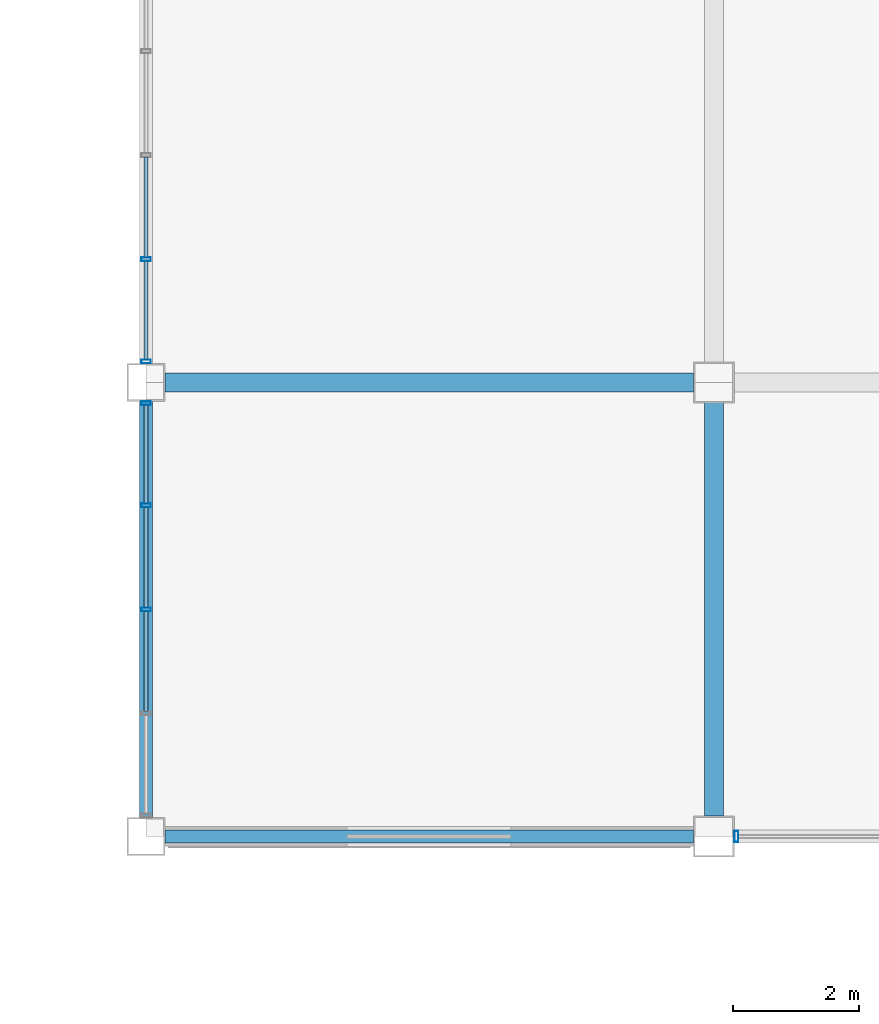
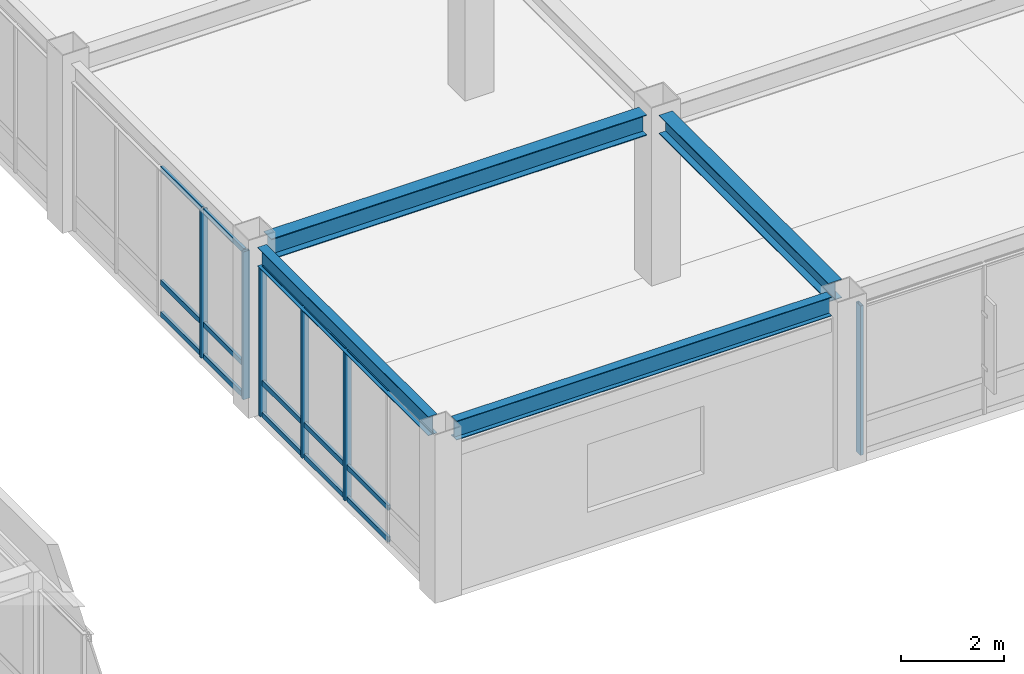
# One storey, part 31 of 106: 21 members, 4 beams, 3 elements without a shape of their own.
"""IFC4 building model written with IfcOpenShell, lengths in metres."""

from ifc_helpers import new_model, si_unit, direction, frame, origin, origin_2d, place, context, subcontext, project, spatial, hollow_rectangle, i_section, extrude, material, material_profile, profile_set, type_object, element, aggregate, save


model = new_model("IFC4")

# Units and contexts
model_context = context("Model", 3, precision=1e-05, world=origin(), true_north=direction((0.0, 1.0)))
body_context = subcontext(model_context, "Body", "Model", "MODEL_VIEW")
ifc_project = project(units=[si_unit("LENGTHUNIT", "METRE"), si_unit("AREAUNIT", "SQUARE_METRE"), si_unit("VOLUMEUNIT", "CUBIC_METRE"), si_unit("PLANEANGLEUNIT", "RADIAN"), si_unit("MASSUNIT", "GRAM", prefix="KILO")], contexts=[model_context])

# Site, building, storey
site_placement = place(None, origin())
site = spatial("IfcSite", under=ifc_project, at=site_placement, CompositionType="ELEMENT")
building_placement = place(site_placement, origin())
building = spatial("IfcBuilding", under=site, at=building_placement, Name="Kazanami Central Library", CompositionType="ELEMENT")
storey_placement = place(building_placement, frame((0.0, 0.0, 12.800048828125)))
storey = spatial("IfcBuildingStorey", under=building, at=storey_placement, Name="L04", CompositionType="ELEMENT", Elevation=12.800048828125)

# Beams
ifc_material_1 = material(Name="Steel SN490B (325 MPa)", Category="steel")
ifc_material_profile_1 = material_profile(ifc_material_1, i_section(OverallWidth=0.300048828125, OverallDepth=0.488037109375, WebThickness=0.010986328125, FlangeThickness=0.01806640625, at=origin_2d()), Name="H-488x300x11x18")
ifc_profile_set_1 = profile_set([ifc_material_profile_1], Name="Steel SN490B (325 MPa)")
beam_type_1 = type_object("IfcBeamType", Name="BM-G-X5", PredefinedType="BEAM", material=ifc_profile_set_1)
beam_1_placement = place(storey_placement, frame((117.298095703125, 50.39990234375, 3.696044921875), z_axis=(1.0, 0.0, 0.0), x_axis=(0.0, 1.0, 0.0)))
element("IfcBeam", 1, at=beam_1_placement, inside=storey, type_object=beam_type_1, Name="Girder G-X5 L04 H/14-15", PredefinedType="BEAM", context=body_context, shape_type="SweptSolid", body=[
    extrude(i_section(OverallWidth=0.300048828125, OverallDepth=0.488037109375, WebThickness=0.010986328125, FlangeThickness=0.01806640625, at=origin_2d()), origin(), (0.0, 0.0, 1.0), 8.37890625),
])
ifc_material_profile_2 = material_profile(ifc_material_1, i_section(OverallWidth=0.300048828125, OverallDepth=0.43994140625, WebThickness=0.010986328125, FlangeThickness=0.01806640625, at=origin_2d()), Name="H-440x300x11x18")
ifc_profile_set_2 = profile_set([ifc_material_profile_2], Name="Steel SN490B (325 MPa)")
beam_type_2 = type_object("IfcBeamType", Name="BM-G-Y4", PredefinedType="BEAM", material=ifc_profile_set_2)
beam_2_placement = place(storey_placement, frame((126.0, 43.52294921875, 3.7548828125), z_axis=(0.0, 1.0, 0.0), x_axis=(-1.0, 0.0, 0.0)))
element("IfcBeam", 2, at=beam_2_placement, inside=storey, type_object=beam_type_2, Name="Girder G-Y4 L04 15/G-H", PredefinedType="BEAM", context=body_context, shape_type="SweptSolid", body=[
    extrude(i_section(OverallWidth=0.300048828125, OverallDepth=0.43994140625, WebThickness=0.010986328125, FlangeThickness=0.01806640625, at=origin_2d()), origin(), (0.0, 0.0, 1.0), 6.553955078125),
])
ifc_material_profile_3 = material_profile(ifc_material_1, i_section(OverallWidth=0.199951171875, OverallDepth=0.449951171875, WebThickness=0.009033203125, FlangeThickness=0.013916015625, at=origin_2d()), Name="H-450x200x9x14")
ifc_profile_set_3 = profile_set([ifc_material_profile_3], Name="Steel SN490B (325 MPa)")
beam_type_3 = type_object("IfcBeamType", Name="BM-SP-2", PredefinedType="SPANDREL", material=ifc_profile_set_3)
beam_3_placement = place(storey_placement, frame((117.298095703125, 43.199951171875, 3.75), z_axis=(1.0, 0.0, 0.0), x_axis=(0.0, 1.0, 0.0)))
element("IfcBeam", 3, at=beam_3_placement, inside=storey, type_object=beam_type_3, Name="Girder SP-2 L04 G/14-15", PredefinedType="SPANDREL", context=body_context, shape_type="SweptSolid", body=[
    extrude(i_section(OverallWidth=0.199951171875, OverallDepth=0.449951171875, WebThickness=0.009033203125, FlangeThickness=0.013916015625, at=origin_2d()), origin(), (0.0, 0.0, 1.0), 8.37890625),
])
beam_4_placement = place(storey_placement, frame((117.0, 43.498046875, 3.75), z_axis=(0.0, 1.0, 0.0), x_axis=(-1.0, 0.0, 0.0)))
element("IfcBeam", 4, at=beam_4_placement, inside=storey, type_object=beam_type_3, Name="Girder SP-2 L04 14/G-H", PredefinedType="SPANDREL", context=body_context, shape_type="SweptSolid", body=[
    extrude(i_section(OverallWidth=0.199951171875, OverallDepth=0.449951171875, WebThickness=0.009033203125, FlangeThickness=0.013916015625, at=origin_2d()), origin(), (0.0, 0.0, 1.0), 6.60400390625),
])

# Curtain wall, member
ifc_material_2 = material(Name="Acid-Etched Low-E Laminated Glass", Category="glass")
curtain_wall_type_1 = type_object("IfcCurtainWallType", Name="CW-8350x3525-M275", PredefinedType="USERDEFINED", material=ifc_material_2)
curtain_wall_1_placement = place(storey_placement, origin())
curtain_wall_1 = element("IfcCurtainWall", 5, at=curtain_wall_1_placement, inside=storey, type_object=curtain_wall_type_1, Name="Unitised Curtain Wall CW-37 L04 S-G-14", ObjectType="UNITISED CURTAIN WALL", PredefinedType="USERDEFINED")
ifc_material_3 = material(Name="Anodised Aluminium A6063-T5", Category="aluminium")
ifc_material_profile_4 = material_profile(ifc_material_3, hollow_rectangle(XDim=0.06494140625, YDim=0.179931640625, WallThickness=0.00390625, at=origin_2d()), Name="ALU-MULL-65x180x4")
ifc_profile_set_4 = profile_set([ifc_material_profile_4], Name="Anodised Aluminium A6063-T5")
member_type_1 = type_object("IfcMemberType", Name="MEM-CW-M2", PredefinedType="MULLION", material=ifc_profile_set_4)
member_1_placement = place(storey_placement, frame((126.357421875, 43.199951171875, 0.0), z_axis=(0.0, 0.0, 1.0), x_axis=(1.0, 0.0, 0.0)))
member_1 = element("IfcMember", 6, at=member_1_placement, type_object=member_type_1, Name="CW-37 mullion 1", PredefinedType="MULLION", context=body_context, shape_type="SweptSolid", body=[
    extrude(hollow_rectangle(XDim=0.06494140625, YDim=0.179931640625, WallThickness=0.00390625, at=origin_2d()), origin(), (0.0, 0.0, 1.0), 3.52490234375),
])
aggregate(curtain_wall_1, [member_1])

# Curtain wall, members
curtain_wall_type_2 = type_object("IfcCurtainWallType", Name="CW-6600x3525-M180", PredefinedType="USERDEFINED", material=ifc_material_2)
curtain_wall_2_placement = place(storey_placement, origin())
curtain_wall_2 = element("IfcCurtainWall", 7, at=curtain_wall_2_placement, inside=storey, type_object=curtain_wall_type_2, Name="Covered Link Bridge Curtain Wall CW-47 L04 W-14-06", ObjectType="UNITISED CURTAIN WALL", PredefinedType="USERDEFINED")
ifc_material_profile_5 = material_profile(ifc_material_3, hollow_rectangle(XDim=0.06005859375, YDim=0.14990234375, WallThickness=0.00390625, at=origin_2d()), Name="ALU-MULL-60x150x4")
ifc_profile_set_5 = profile_set([ifc_material_profile_5], Name="Anodised Aluminium A6063-T5")
member_type_2 = type_object("IfcMemberType", Name="MEM-CW-M3", PredefinedType="MULLION", material=ifc_profile_set_5)
member_2_placement = place(storey_placement, frame((117.0, 46.800048828125, 0.0), z_axis=(0.0, 0.0, 1.0), x_axis=(0.0, 1.0, 0.0)))
member_2 = element("IfcMember", 8, at=member_2_placement, type_object=member_type_2, Name="CW-47 mullion 3", PredefinedType="MULLION", context=body_context, shape_type="SweptSolid", body=[
    extrude(hollow_rectangle(XDim=0.06005859375, YDim=0.14990234375, WallThickness=0.00390625, at=origin_2d()), origin(), (0.0, 0.0, 1.0), 3.52490234375),
])
member_3_placement = place(storey_placement, frame((117.0, 48.449951171875, 0.0), z_axis=(0.0, 0.0, 1.0), x_axis=(0.0, 1.0, 0.0)))
member_3 = element("IfcMember", 9, at=member_3_placement, type_object=member_type_2, Name="CW-47 mullion 4", PredefinedType="MULLION", context=body_context, shape_type="SweptSolid", body=[
    extrude(hollow_rectangle(XDim=0.06005859375, YDim=0.14990234375, WallThickness=0.00390625, at=origin_2d()), origin(), (0.0, 0.0, 1.0), 3.52490234375),
])
member_4_placement = place(storey_placement, frame((117.0, 50.070068359375, 0.0), z_axis=(0.0, 0.0, 1.0), x_axis=(0.0, 1.0, 0.0)))
member_4 = element("IfcMember", 10, at=member_4_placement, type_object=member_type_2, Name="CW-47 mullion 5", PredefinedType="MULLION", context=body_context, shape_type="SweptSolid", body=[
    extrude(hollow_rectangle(XDim=0.06005859375, YDim=0.14990234375, WallThickness=0.00390625, at=origin_2d()), origin(), (0.0, 0.0, 1.0), 3.52490234375),
])

curtain_wall_type_3 = type_object("IfcCurtainWallType", Name="CW-6600x3490-M180", PredefinedType="USERDEFINED", material=ifc_material_2)
curtain_wall_3_placement = place(storey_placement, origin())
curtain_wall_3 = element("IfcCurtainWall", 11, at=curtain_wall_3_placement, inside=storey, type_object=curtain_wall_type_3, Name="Covered Link Bridge Curtain Wall CW-48 L04 W-14-07", ObjectType="UNITISED CURTAIN WALL", PredefinedType="USERDEFINED")
member_5_placement = place(storey_placement, frame((117.0, 50.72998046875, 0.0), z_axis=(0.0, 0.0, 1.0), x_axis=(0.0, 1.0, 0.0)))
member_5 = element("IfcMember", 12, at=member_5_placement, type_object=member_type_2, Name="CW-48 mullion 1", PredefinedType="MULLION", context=body_context, shape_type="SweptSolid", body=[
    extrude(hollow_rectangle(XDim=0.06005859375, YDim=0.14990234375, WallThickness=0.00390625, at=origin_2d()), origin(), (0.0, 0.0, 1.0), 3.489990234375),
])
member_6_placement = place(storey_placement, frame((117.0, 52.35009765625, 0.0), z_axis=(0.0, 0.0, 1.0), x_axis=(0.0, 1.0, 0.0)))
member_6 = element("IfcMember", 13, at=member_6_placement, type_object=member_type_2, Name="CW-48 mullion 2", PredefinedType="MULLION", context=body_context, shape_type="SweptSolid", body=[
    extrude(hollow_rectangle(XDim=0.06005859375, YDim=0.14990234375, WallThickness=0.00390625, at=origin_2d()), origin(), (0.0, 0.0, 1.0), 3.489990234375),
])

# Member
ifc_material_profile_6 = material_profile(ifc_material_3, hollow_rectangle(XDim=0.06005859375, YDim=0.1201171875, WallThickness=0.00341796875, at=origin_2d()), Name="ALU-TRAN-60x120x3.5")
ifc_profile_set_6 = profile_set([ifc_material_profile_6], Name="Anodised Aluminium A6063-T5")
member_type_3 = type_object("IfcMemberType", Name="MEM-CW-T3", PredefinedType="USERDEFINED", material=ifc_profile_set_6)
member_7_placement = place(storey_placement, frame((117.0, 45.179931640625, 0.030029296875), z_axis=(0.0, 1.0, 0.0), x_axis=(-1.0, 0.0, 0.0)))
member_7 = element("IfcMember", 14, at=member_7_placement, type_object=member_type_3, Name="CW-47 transom 2.1", ObjectType="TRANSOM", PredefinedType="USERDEFINED", context=body_context, shape_type="SweptSolid", body=[
    extrude(hollow_rectangle(XDim=0.06005859375, YDim=0.1201171875, WallThickness=0.00341796875, at=origin_2d()), origin(), (0.0, 0.0, 1.0), 1.590087890625),
])

member_8_placement = place(storey_placement, frame((117.0, 45.179931640625, 0.780029296875), z_axis=(0.0, 1.0, 0.0), x_axis=(-1.0, 0.0, 0.0)))
member_8 = element("IfcMember", 15, at=member_8_placement, type_object=member_type_3, Name="CW-47 transom 2.2", ObjectType="TRANSOM", PredefinedType="USERDEFINED", context=body_context, shape_type="SweptSolid", body=[
    extrude(hollow_rectangle(XDim=0.06005859375, YDim=0.1201171875, WallThickness=0.00341796875, at=origin_2d()), origin(), (0.0, 0.0, 1.0), 1.590087890625),
])

member_9_placement = place(storey_placement, frame((117.0, 45.179931640625, 3.494873046875), z_axis=(0.0, 1.0, 0.0), x_axis=(-1.0, 0.0, 0.0)))
member_9 = element("IfcMember", 16, at=member_9_placement, type_object=member_type_3, Name="CW-47 transom 2.3", ObjectType="TRANSOM", PredefinedType="USERDEFINED", context=body_context, shape_type="SweptSolid", body=[
    extrude(hollow_rectangle(XDim=0.06005859375, YDim=0.1201171875, WallThickness=0.00341796875, at=origin_2d()), origin(), (0.0, 0.0, 1.0), 1.590087890625),
])

member_10_placement = place(storey_placement, frame((117.0, 46.830078125, 0.030029296875), z_axis=(0.0, 1.0, 0.0), x_axis=(-1.0, 0.0, 0.0)))
member_10 = element("IfcMember", 17, at=member_10_placement, type_object=member_type_3, Name="CW-47 transom 3.1", ObjectType="TRANSOM", PredefinedType="USERDEFINED", context=body_context, shape_type="SweptSolid", body=[
    extrude(hollow_rectangle(XDim=0.06005859375, YDim=0.1201171875, WallThickness=0.00341796875, at=origin_2d()), origin(), (0.0, 0.0, 1.0), 1.58984375),
])

member_11_placement = place(storey_placement, frame((117.0, 46.830078125, 0.780029296875), z_axis=(0.0, 1.0, 0.0), x_axis=(-1.0, 0.0, 0.0)))
member_11 = element("IfcMember", 18, at=member_11_placement, type_object=member_type_3, Name="CW-47 transom 3.2", ObjectType="TRANSOM", PredefinedType="USERDEFINED", context=body_context, shape_type="SweptSolid", body=[
    extrude(hollow_rectangle(XDim=0.06005859375, YDim=0.1201171875, WallThickness=0.00341796875, at=origin_2d()), origin(), (0.0, 0.0, 1.0), 1.58984375),
])

member_12_placement = place(storey_placement, frame((117.0, 46.830078125, 3.494873046875), z_axis=(0.0, 1.0, 0.0), x_axis=(-1.0, 0.0, 0.0)))
member_12 = element("IfcMember", 19, at=member_12_placement, type_object=member_type_3, Name="CW-47 transom 3.3", ObjectType="TRANSOM", PredefinedType="USERDEFINED", context=body_context, shape_type="SweptSolid", body=[
    extrude(hollow_rectangle(XDim=0.06005859375, YDim=0.1201171875, WallThickness=0.00341796875, at=origin_2d()), origin(), (0.0, 0.0, 1.0), 1.58984375),
])

member_13_placement = place(storey_placement, frame((117.0, 48.47998046875, 0.030029296875), z_axis=(0.0, 1.0, 0.0), x_axis=(-1.0, 0.0, 0.0)))
member_13 = element("IfcMember", 20, at=member_13_placement, type_object=member_type_3, Name="CW-47 transom 4.1", ObjectType="TRANSOM", PredefinedType="USERDEFINED", context=body_context, shape_type="SweptSolid", body=[
    extrude(hollow_rectangle(XDim=0.06005859375, YDim=0.1201171875, WallThickness=0.00341796875, at=origin_2d()), origin(), (0.0, 0.0, 1.0), 1.56005859375),
])

member_14_placement = place(storey_placement, frame((117.0, 48.47998046875, 0.780029296875), z_axis=(0.0, 1.0, 0.0), x_axis=(-1.0, 0.0, 0.0)))
member_14 = element("IfcMember", 21, at=member_14_placement, type_object=member_type_3, Name="CW-47 transom 4.2", ObjectType="TRANSOM", PredefinedType="USERDEFINED", context=body_context, shape_type="SweptSolid", body=[
    extrude(hollow_rectangle(XDim=0.06005859375, YDim=0.1201171875, WallThickness=0.00341796875, at=origin_2d()), origin(), (0.0, 0.0, 1.0), 1.56005859375),
])

member_15_placement = place(storey_placement, frame((117.0, 48.47998046875, 3.494873046875), z_axis=(0.0, 1.0, 0.0), x_axis=(-1.0, 0.0, 0.0)))
member_15 = element("IfcMember", 22, at=member_15_placement, type_object=member_type_3, Name="CW-47 transom 4.3", ObjectType="TRANSOM", PredefinedType="USERDEFINED", context=body_context, shape_type="SweptSolid", body=[
    extrude(hollow_rectangle(XDim=0.06005859375, YDim=0.1201171875, WallThickness=0.00341796875, at=origin_2d()), origin(), (0.0, 0.0, 1.0), 1.56005859375),
])

aggregate(curtain_wall_2, [member_2, member_3, member_4, member_7, member_8, member_9, member_10, member_11, member_12, member_13, member_14, member_15])

member_16_placement = place(storey_placement, frame((117.0, 50.760009765625, 0.030029296875), z_axis=(0.0, 1.0, 0.0), x_axis=(-1.0, 0.0, 0.0)))
member_16 = element("IfcMember", 23, at=member_16_placement, type_object=member_type_3, Name="CW-48 transom 1.1", ObjectType="TRANSOM", PredefinedType="USERDEFINED", context=body_context, shape_type="SweptSolid", body=[
    extrude(hollow_rectangle(XDim=0.06005859375, YDim=0.1201171875, WallThickness=0.00341796875, at=origin_2d()), origin(), (0.0, 0.0, 1.0), 1.56005859375),
])

member_17_placement = place(storey_placement, frame((117.0, 50.760009765625, 0.780029296875), z_axis=(0.0, 1.0, 0.0), x_axis=(-1.0, 0.0, 0.0)))
member_17 = element("IfcMember", 24, at=member_17_placement, type_object=member_type_3, Name="CW-48 transom 1.2", ObjectType="TRANSOM", PredefinedType="USERDEFINED", context=body_context, shape_type="SweptSolid", body=[
    extrude(hollow_rectangle(XDim=0.06005859375, YDim=0.1201171875, WallThickness=0.00341796875, at=origin_2d()), origin(), (0.0, 0.0, 1.0), 1.56005859375),
])

member_18_placement = place(storey_placement, frame((117.0, 50.760009765625, 3.4599609375), z_axis=(0.0, 1.0, 0.0), x_axis=(-1.0, 0.0, 0.0)))
member_18 = element("IfcMember", 25, at=member_18_placement, type_object=member_type_3, Name="CW-48 transom 1.3", ObjectType="TRANSOM", PredefinedType="USERDEFINED", context=body_context, shape_type="SweptSolid", body=[
    extrude(hollow_rectangle(XDim=0.06005859375, YDim=0.1201171875, WallThickness=0.00341796875, at=origin_2d()), origin(), (0.0, 0.0, 1.0), 1.56005859375),
])

member_19_placement = place(storey_placement, frame((117.0, 52.3798828125, 0.030029296875), z_axis=(0.0, 1.0, 0.0), x_axis=(-1.0, 0.0, 0.0)))
member_19 = element("IfcMember", 26, at=member_19_placement, type_object=member_type_3, Name="CW-48 transom 2.1", ObjectType="TRANSOM", PredefinedType="USERDEFINED", context=body_context, shape_type="SweptSolid", body=[
    extrude(hollow_rectangle(XDim=0.06005859375, YDim=0.1201171875, WallThickness=0.00341796875, at=origin_2d()), origin(), (0.0, 0.0, 1.0), 1.590087890625),
])

member_20_placement = place(storey_placement, frame((117.0, 52.3798828125, 0.780029296875), z_axis=(0.0, 1.0, 0.0), x_axis=(-1.0, 0.0, 0.0)))
member_20 = element("IfcMember", 27, at=member_20_placement, type_object=member_type_3, Name="CW-48 transom 2.2", ObjectType="TRANSOM", PredefinedType="USERDEFINED", context=body_context, shape_type="SweptSolid", body=[
    extrude(hollow_rectangle(XDim=0.06005859375, YDim=0.1201171875, WallThickness=0.00341796875, at=origin_2d()), origin(), (0.0, 0.0, 1.0), 1.590087890625),
])

member_21_placement = place(storey_placement, frame((117.0, 52.3798828125, 3.4599609375), z_axis=(0.0, 1.0, 0.0), x_axis=(-1.0, 0.0, 0.0)))
member_21 = element("IfcMember", 28, at=member_21_placement, type_object=member_type_3, Name="CW-48 transom 2.3", ObjectType="TRANSOM", PredefinedType="USERDEFINED", context=body_context, shape_type="SweptSolid", body=[
    extrude(hollow_rectangle(XDim=0.06005859375, YDim=0.1201171875, WallThickness=0.00341796875, at=origin_2d()), origin(), (0.0, 0.0, 1.0), 1.590087890625),
])

aggregate(curtain_wall_3, [member_5, member_6, member_16, member_17, member_18, member_19, member_20, member_21])

save(model, "model.ifc")
